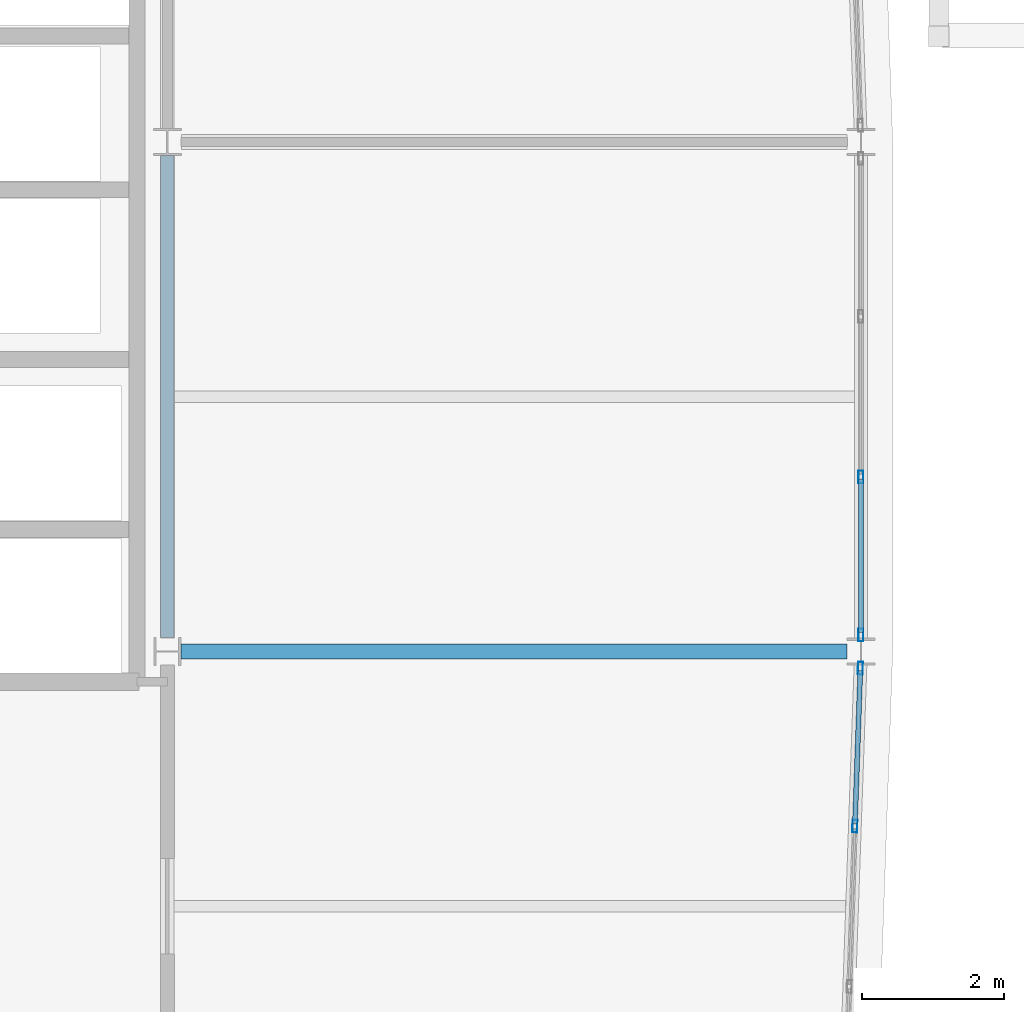
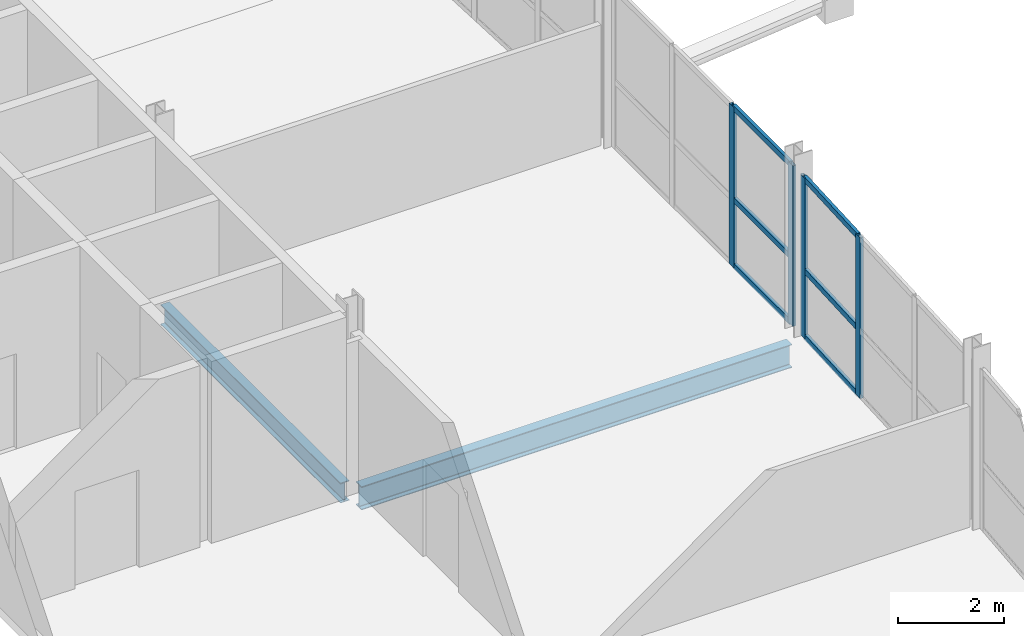
# One storey, part 9 of 36: 10 members, 2 beams, 2 elements without a shape of their own.
"""IFC4 building model written with IfcOpenShell, lengths in metres."""

from ifc_helpers import new_model, si_unit, direction, frame, origin, origin_2d, place, context, subcontext, project, spatial, hollow_rectangle, i_section, extrude, material, layer, layer_set, material_profile, profile_set, type_object, element, aggregate, save


model = new_model("IFC4")

# Units and contexts
model_context = context("Model", 3, precision=1e-05, world=origin(), true_north=direction((0.0, 1.0)))
body_context = subcontext(model_context, "Body", "Model", "MODEL_VIEW")
ifc_project = project(units=[si_unit("LENGTHUNIT", "METRE"), si_unit("AREAUNIT", "SQUARE_METRE"), si_unit("VOLUMEUNIT", "CUBIC_METRE"), si_unit("PLANEANGLEUNIT", "RADIAN"), si_unit("MASSUNIT", "GRAM", prefix="KILO")], contexts=[model_context])

# Site, building, storey
site_placement = place(None, origin())
site = spatial("IfcSite", under=ifc_project, at=site_placement, CompositionType="ELEMENT")
building_placement = place(site_placement, origin())
building = spatial("IfcBuilding", under=site, at=building_placement, Name="Quillay Park Conservatory", CompositionType="ELEMENT")
storey_placement = place(building_placement, frame((0.0, 0.0, 18.300048828125)))
storey = spatial("IfcBuildingStorey", under=building, at=storey_placement, Name="L04", CompositionType="ELEMENT", Elevation=18.300048828125)

# Curtain wall, members
ifc_material_1 = material(Name="Thermally Broken Anodised Aluminium 6063-T6", Category="aluminium")
ifc_layer = layer(ifc_material_1, 0.179931640625)
ifc_layer_set = layer_set([ifc_layer], Name="UNITISED CURTAIN WALL TOWER (Thermally Broken Anodised Aluminium 6063-T6)")
curtain_wall_type = type_object("IfcCurtainWallType", Name="UNITISED CURTAIN WALL TOWER", PredefinedType="USERDEFINED", material=ifc_layer_set)
curtain_wall_1_placement = place(storey_placement, origin())
curtain_wall_1 = element("IfcCurtainWall", 1, at=curtain_wall_1_placement, inside=storey, type_object=curtain_wall_type, Name="L04 Unitised Curtain Wall 040", ObjectType="UNITISED CURTAIN WALL", PredefinedType="USERDEFINED")
ifc_material_2 = material(Name="Thermally Broken Anodised Aluminium 6063-T6", Category="aluminium")
ifc_material_profile_1 = material_profile(ifc_material_2, hollow_rectangle(XDim=0.070068359375, YDim=0.179931640625, WallThickness=0.00390625, at=origin_2d()), Name="AL70x180x4")
ifc_profile_set_1 = profile_set([ifc_material_profile_1], Name="Thermally Broken Anodised Aluminium 6063-T6")
member_type_1 = type_object("IfcMemberType", Name="CURTAIN WALL MULLION 70 X180", PredefinedType="MULLION", material=ifc_profile_set_1)
member_1_placement = place(storey_placement, frame((29.5419921875, 84.965087890625, 0.0), z_axis=(0.0, 0.0, 1.0), x_axis=(0.999397310446, -0.034713338537, 0.0)))
member_1 = element("IfcMember", 2, at=member_1_placement, type_object=member_type_1, Name="CW-T1 mullion 1", PredefinedType="MULLION", context=body_context, shape_type="SweptSolid", body=[
    extrude(hollow_rectangle(XDim=0.070068359375, YDim=0.179931640625, WallThickness=0.00390625, at=origin_2d()), origin(), (0.0, 0.0, 1.0), 3.7119140625),
])
member_2_placement = place(storey_placement, frame((29.46435546875, 82.7333984375, 0.0), z_axis=(0.0, 0.0, 1.0), x_axis=(0.999397310446, -0.034713338537, 0.0)))
member_2 = element("IfcMember", 3, at=member_2_placement, type_object=member_type_1, Name="CW-T1 mullion 2", PredefinedType="MULLION", context=body_context, shape_type="SweptSolid", body=[
    extrude(hollow_rectangle(XDim=0.070068359375, YDim=0.179931640625, WallThickness=0.00390625, at=origin_2d()), origin(), (0.0, 0.0, 1.0), 3.7119140625),
])

curtain_wall_2_placement = place(storey_placement, origin())
curtain_wall_2 = element("IfcCurtainWall", 4, at=curtain_wall_2_placement, inside=storey, type_object=curtain_wall_type, Name="L04 Unitised Curtain Wall 041", ObjectType="UNITISED CURTAIN WALL", PredefinedType="USERDEFINED")
member_3_placement = place(storey_placement, frame((29.550048828125, 87.666748046875, 0.0), z_axis=(0.0, 0.0, 1.0), x_axis=(1.0, 0.0, 0.0)))
member_3 = element("IfcMember", 5, at=member_3_placement, type_object=member_type_1, Name="CW-T1 mullion 3", PredefinedType="MULLION", context=body_context, shape_type="SweptSolid", body=[
    extrude(hollow_rectangle(XDim=0.070068359375, YDim=0.179931640625, WallThickness=0.00390625, at=origin_2d()), origin(), (0.0, 0.0, 1.0), 3.7119140625),
])
member_4_placement = place(storey_placement, frame((29.550048828125, 85.43505859375, 0.0), z_axis=(0.0, 0.0, 1.0), x_axis=(1.0, 0.0, 0.0)))
member_4 = element("IfcMember", 6, at=member_4_placement, type_object=member_type_1, Name="CW-T1 mullion 4", PredefinedType="MULLION", context=body_context, shape_type="SweptSolid", body=[
    extrude(hollow_rectangle(XDim=0.070068359375, YDim=0.179931640625, WallThickness=0.00390625, at=origin_2d()), origin(), (0.0, 0.0, 1.0), 3.7119140625),
])

# Member
ifc_material_3 = material(Name="Thermally Broken Anodised Aluminium 6063-T6", Category="aluminium")
ifc_material_profile_2 = material_profile(ifc_material_3, hollow_rectangle(XDim=0.070068359375, YDim=0.1298828125, WallThickness=0.003173828125, at=origin_2d()), Name="AL70x130x3.2")
ifc_profile_set_2 = profile_set([ifc_material_profile_2], Name="Thermally Broken Anodised Aluminium 6063-T6")
member_type_2 = type_object("IfcMemberType", Name="CURTAIN WALL TRANSOM 70 X130", PredefinedType="USERDEFINED", material=ifc_profile_set_2)
member_5_placement = place(storey_placement, frame((29.540771484375, 84.93017578125, 0.034912109375), z_axis=(-0.034761587249, -0.999395633396, 0.0), x_axis=(0.999395633396, -0.034761587249, 0.0)))
member_5 = element("IfcMember", 7, at=member_5_placement, type_object=member_type_2, Name="CW-T1 transom 1.1", ObjectType="TRANSOM", PredefinedType="USERDEFINED", context=body_context, shape_type="SweptSolid", body=[
    extrude(hollow_rectangle(XDim=0.070068359375, YDim=0.1298828125, WallThickness=0.003173828125, at=origin_2d()), origin(), (0.0, 0.0, 1.0), 2.1630859375),
])

member_6_placement = place(storey_placement, frame((29.540771484375, 84.93017578125, 1.558837890625), z_axis=(-0.034761587249, -0.999395633396, 0.0), x_axis=(0.999395633396, -0.034761587249, 0.0)))
member_6 = element("IfcMember", 8, at=member_6_placement, type_object=member_type_2, Name="CW-T1 transom 1.2", ObjectType="TRANSOM", PredefinedType="USERDEFINED", context=body_context, shape_type="SweptSolid", body=[
    extrude(hollow_rectangle(XDim=0.070068359375, YDim=0.1298828125, WallThickness=0.003173828125, at=origin_2d()), origin(), (0.0, 0.0, 1.0), 2.1630859375),
])

member_7_placement = place(storey_placement, frame((29.540771484375, 84.93017578125, 3.677001953125), z_axis=(-0.034761587249, -0.999395633396, 0.0), x_axis=(0.999395633396, -0.034761587249, 0.0)))
member_7 = element("IfcMember", 9, at=member_7_placement, type_object=member_type_2, Name="CW-T1 transom 1.3", ObjectType="TRANSOM", PredefinedType="USERDEFINED", context=body_context, shape_type="SweptSolid", body=[
    extrude(hollow_rectangle(XDim=0.070068359375, YDim=0.1298828125, WallThickness=0.003173828125, at=origin_2d()), origin(), (0.0, 0.0, 1.0), 2.1630859375),
])

aggregate(curtain_wall_1, [member_1, member_2, member_5, member_6, member_7])

member_8_placement = place(storey_placement, frame((29.550048828125, 87.631591796875, 0.034912109375), z_axis=(0.0, -1.0, 0.0), x_axis=(1.0, 0.0, 0.0)))
member_8 = element("IfcMember", 10, at=member_8_placement, type_object=member_type_2, Name="CW-T1 transom 3.1", ObjectType="TRANSOM", PredefinedType="USERDEFINED", context=body_context, shape_type="SweptSolid", body=[
    extrude(hollow_rectangle(XDim=0.070068359375, YDim=0.1298828125, WallThickness=0.003173828125, at=origin_2d()), origin(), (0.0, 0.0, 1.0), 2.16162109375),
])

member_9_placement = place(storey_placement, frame((29.550048828125, 87.631591796875, 1.558837890625), z_axis=(0.0, -1.0, 0.0), x_axis=(1.0, 0.0, 0.0)))
member_9 = element("IfcMember", 11, at=member_9_placement, type_object=member_type_2, Name="CW-T1 transom 3.2", ObjectType="TRANSOM", PredefinedType="USERDEFINED", context=body_context, shape_type="SweptSolid", body=[
    extrude(hollow_rectangle(XDim=0.070068359375, YDim=0.1298828125, WallThickness=0.003173828125, at=origin_2d()), origin(), (0.0, 0.0, 1.0), 2.16162109375),
])

member_10_placement = place(storey_placement, frame((29.550048828125, 87.631591796875, 3.677001953125), z_axis=(0.0, -1.0, 0.0), x_axis=(1.0, 0.0, 0.0)))
member_10 = element("IfcMember", 12, at=member_10_placement, type_object=member_type_2, Name="CW-T1 transom 3.3", ObjectType="TRANSOM", PredefinedType="USERDEFINED", context=body_context, shape_type="SweptSolid", body=[
    extrude(hollow_rectangle(XDim=0.070068359375, YDim=0.1298828125, WallThickness=0.003173828125, at=origin_2d()), origin(), (0.0, 0.0, 1.0), 2.16162109375),
])

aggregate(curtain_wall_2, [member_3, member_4, member_8, member_9, member_10])

# Beams
ifc_material_4 = material(Name="Steel ASTM A992 Grade 50", Category="steel")
ifc_material_profile_3 = material_profile(ifc_material_4, i_section(OverallWidth=0.19189453125, OverallDepth=0.462890625, WebThickness=0.010498046875, FlangeThickness=0.017578125, FilletRadius=0.012939453125, at=origin_2d()), Name="W460x89")
ifc_profile_set_3 = profile_set([ifc_material_profile_3], Name="Steel ASTM A992 Grade 50")
beam_type_1 = type_object("IfcBeamType", Name="PRIMARY FLOOR GIRDER W460 X89", PredefinedType="BEAM", material=ifc_profile_set_3)
beam_1_placement = place(storey_placement, frame((19.75, 85.3974609375, -0.431640625), z_axis=(0.0, 1.0, 0.0), x_axis=(-1.0, 0.0, 0.0)))
element("IfcBeam", 13, at=beam_1_placement, inside=storey, type_object=beam_type_1, Name="L04 beam BM-GNS-0357", PredefinedType="BEAM", context=body_context, shape_type="SweptSolid", body=[
    extrude(i_section(OverallWidth=0.19189453125, OverallDepth=0.462890625, WebThickness=0.010498046875, FlangeThickness=0.017578125, FilletRadius=0.012939453125, at=origin_2d()), origin(), (0.0, 0.0, 1.0), 6.8125),
])
ifc_material_5 = material(Name="Steel ASTM A992 Grade 50", Category="steel")
ifc_material_profile_4 = material_profile(ifc_material_5, i_section(OverallWidth=0.2109375, OverallDepth=0.5390625, WebThickness=0.01171875, FlangeThickness=0.018798828125, FilletRadius=0.013916015625, at=origin_2d()), Name="W530x109")
ifc_profile_set_4 = profile_set([ifc_material_profile_4], Name="Steel ASTM A992 Grade 50")
beam_type_2 = type_object("IfcBeamType", Name="PRIMARY FLOOR GIRDER W530 X109", PredefinedType="BEAM", material=ifc_profile_set_4)
beam_2_placement = place(storey_placement, frame((19.93994140625, 85.199951171875, -0.469482421875), z_axis=(1.0, 0.0, 0.0), x_axis=(0.0, 1.0, 0.0)))
element("IfcBeam", 14, at=beam_2_placement, inside=storey, type_object=beam_type_2, Name="L04 beam BM-G-0322", PredefinedType="BEAM", context=body_context, shape_type="SweptSolid", body=[
    extrude(i_section(OverallWidth=0.2109375, OverallDepth=0.5390625, WebThickness=0.01171875, FlangeThickness=0.018798828125, FilletRadius=0.013916015625, at=origin_2d()), origin(), (0.0, 0.0, 1.0), 9.41259765625),
])

save(model, "model.ifc")
